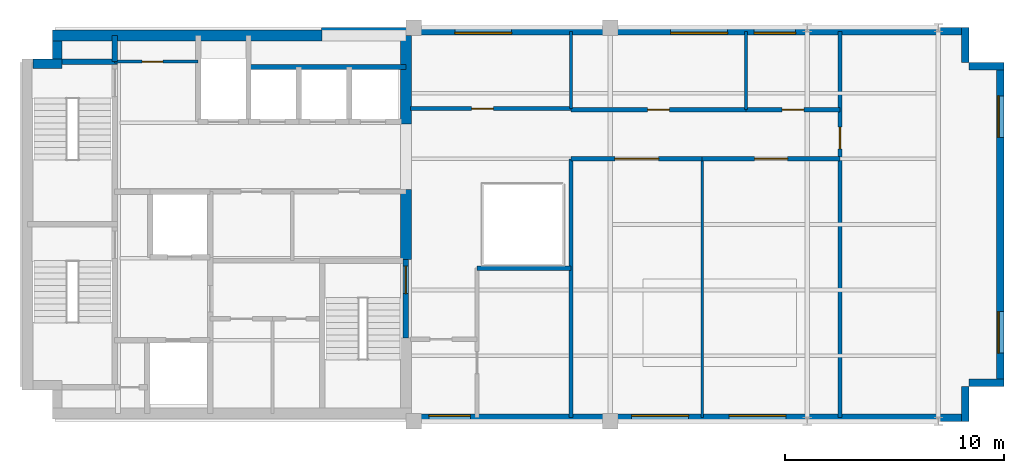
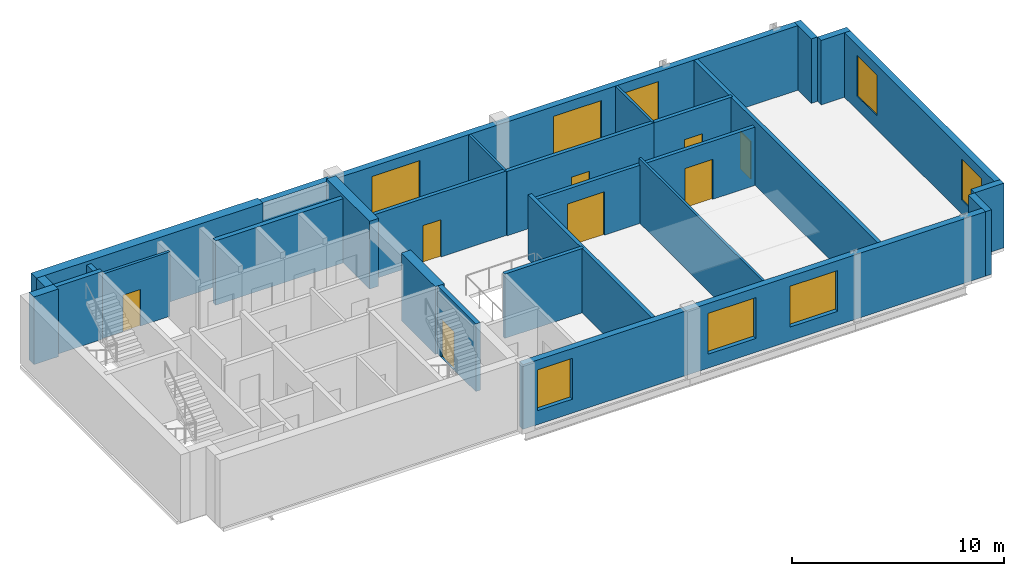
# One storey, part 3 of 5: 28 walls, 8 doors, 8 windows, 16 openings.
"""IFC4 building model written with IfcOpenShell, lengths in metres."""

from ifc_helpers import new_model, si_unit, direction, frame, frame_2d, origin, place, context, subcontext, project, spatial, rectangle, extrude, material, layer, layer_set, type_object, element, fill, save


model = new_model("IFC4")

# Units and contexts
model_context = context("Model", 3, precision=1e-05, world=origin(), true_north=direction((0.0, 1.0)))
body_context = subcontext(model_context, "Body", "Model", "MODEL_VIEW")
ifc_project = project(units=[si_unit("LENGTHUNIT", "METRE"), si_unit("AREAUNIT", "SQUARE_METRE"), si_unit("VOLUMEUNIT", "CUBIC_METRE"), si_unit("PLANEANGLEUNIT", "RADIAN"), si_unit("MASSUNIT", "GRAM", prefix="KILO")], contexts=[model_context])

# Site, building, storey
site_placement = place(None, origin())
site = spatial("IfcSite", under=ifc_project, at=site_placement, CompositionType="ELEMENT")
building_placement = place(site_placement, origin())
building = spatial("IfcBuilding", under=site, at=building_placement, Name="Mawjdan Bourse Tower", CompositionType="ELEMENT")
storey_placement = place(building_placement, frame((0.0, 0.0, 305.39990234375)))
storey = spatial("IfcBuildingStorey", under=building, at=storey_placement, Name="L75", CompositionType="ELEMENT", Elevation=305.39990234375)

# Wall, openings, windows
ifc_material_1 = material(Name="Brick Masonry Buff", Category="masonry")
ifc_layer_1 = layer(ifc_material_1, 0.340087890625)
ifc_layer_set_1 = layer_set([ifc_layer_1], Name="Brick Masonry Buff")
wall_type_1 = type_object("IfcWallType", Name="WL-BRK-SPN-340", PredefinedType="STANDARD", material=ifc_layer_set_1)
wall_1_placement = place(storey_placement, frame((23.89990234375, 3.169921875, 0.0), z_axis=(0.0, 0.0, 1.0), x_axis=(1.0, 0.0, 0.0)))
wall_1 = element("IfcWall", 1, at=wall_1_placement, inside=storey, type_object=wall_type_1, Name="L75 Exterior Brick Wall 1", PredefinedType="STANDARD", context=body_context, shape_type="SweptSolid", body=[
    extrude(rectangle(XDim=25.5, YDim=0.340087890625, at=frame_2d((12.75, 0.0))), origin(), (0.0, 0.0, 1.0), 3.715087890625),
])
opening_1_placement = place(wall_1_placement, frame((0.800048828125, 0.0, 0.800048828125)))
opening_1 = element("IfcOpeningElement", 2, at=opening_1_placement, cuts=wall_1, Name="Opening W-L75-05", PredefinedType="OPENING", context=body_context, shape_type="SweptSolid", body=[
    extrude(rectangle(XDim=1.89990234375, YDim=2.35009765625, at=frame_2d((0.949951171875, 1.175048828125))), frame((0.0, 0.18017578125, 0.0), z_axis=(0.0, -1.0, 0.0), x_axis=(1.0, 0.0, 0.0)), (0.0, 0.0, 1.0), 0.360107421875),
])
opening_2_placement = place(wall_1_placement, frame((10.07470703125, 0.0, 0.800048828125)))
opening_2 = element("IfcOpeningElement", 3, at=opening_2_placement, cuts=wall_1, Name="Opening W-L75-06", PredefinedType="OPENING", context=body_context, shape_type="SweptSolid", body=[
    extrude(rectangle(XDim=2.60009765625, YDim=2.35009765625, at=frame_2d((1.300048828125, 1.175048828125))), frame((0.0, 0.18017578125, 0.0), z_axis=(0.0, -1.0, 0.0), x_axis=(1.0, 0.0, 0.0)), (0.0, 0.0, 1.0), 0.360107421875),
])
opening_3_placement = place(wall_1_placement, frame((14.52490234375, 0.0, 0.800048828125)))
opening_3 = element("IfcOpeningElement", 4, at=opening_3_placement, cuts=wall_1, Name="Opening W-L75-07", PredefinedType="OPENING", context=body_context, shape_type="SweptSolid", body=[
    extrude(rectangle(XDim=2.60009765625, YDim=2.35009765625, at=frame_2d((1.300048828125, 1.175048828125))), frame((0.0, 0.18017578125, 0.0), z_axis=(0.0, -1.0, 0.0), x_axis=(1.0, 0.0, 0.0)), (0.0, 0.0, 1.0), 0.360107421875),
])
ifc_material_2 = material(Name="Solar-Control Clear Double Glazing", Category="glass")
window_type_1 = type_object("IfcWindowType", Name="WN-SMT-1900", PartitioningType="SINGLE_PANEL", PredefinedType="WINDOW", material=ifc_material_2)
window_1_placement = place(opening_1_placement, origin())
window_1 = element("IfcWindow", 5, at=window_1_placement, inside=storey, type_object=window_type_1, Name="L75 Deep-Set Masonry Window W-L75-05", OverallHeight=2.35009765625, OverallWidth=1.89990234375, PartitioningType="SINGLE_PANEL", PredefinedType="WINDOW", context=body_context, shape_type="SweptSolid", body=[
    extrude(rectangle(XDim=1.89990234375, YDim=2.35009765625, at=frame_2d((0.949951171875, 1.175048828125))), frame((0.0, 0.110107421875, 0.0), z_axis=(0.0, -1.0, 0.0), x_axis=(1.0, 0.0, 0.0)), (0.0, 0.0, 1.0), 0.06005859375),
])
fill(opening_1, window_1)
window_type_2 = type_object("IfcWindowType", Name="WN-SMT-2600", PartitioningType="SINGLE_PANEL", PredefinedType="WINDOW", material=ifc_material_2)
window_2_placement = place(opening_2_placement, origin())
window_2 = element("IfcWindow", 6, at=window_2_placement, inside=storey, type_object=window_type_2, Name="L75 Deep-Set Masonry Window W-L75-06", OverallHeight=2.35009765625, OverallWidth=2.60009765625, PartitioningType="SINGLE_PANEL", PredefinedType="WINDOW", context=body_context, shape_type="SweptSolid", body=[
    extrude(rectangle(XDim=2.60009765625, YDim=2.35009765625, at=frame_2d((1.300048828125, 1.175048828125))), frame((0.0, 0.110107421875, 0.0), z_axis=(0.0, -1.0, 0.0), x_axis=(1.0, 0.0, 0.0)), (0.0, 0.0, 1.0), 0.06005859375),
])
fill(opening_2, window_2)
window_3_placement = place(opening_3_placement, origin())
window_3 = element("IfcWindow", 7, at=window_3_placement, inside=storey, type_object=window_type_2, Name="L75 Deep-Set Masonry Window W-L75-07", OverallHeight=2.35009765625, OverallWidth=2.60009765625, PartitioningType="SINGLE_PANEL", PredefinedType="WINDOW", context=body_context, shape_type="SweptSolid", body=[
    extrude(rectangle(XDim=2.60009765625, YDim=2.35009765625, at=frame_2d((1.300048828125, 1.175048828125))), frame((0.0, 0.110107421875, 0.0), z_axis=(0.0, -1.0, 0.0), x_axis=(1.0, 0.0, 0.0)), (0.0, 0.0, 1.0), 0.06005859375),
])
fill(opening_3, window_3)

# Walls
for number, where, z_axis, x_axis, name in (
    (8, (49.22998046875, 3.0, 0.0), (0.0, 0.0, 1.0), (0.0, 1.0, 0.0), "L75 Exterior Brick Wall 2"),
    (9, (49.39990234375, 4.77001953125, 0.0), (0.0, 0.0, 1.0), (1.0, 0.0, 0.0), "L75 Exterior Brick Wall 3"),
):
    element("IfcWall", number, at=place(storey_placement, frame(where, z_axis=z_axis, x_axis=x_axis)), inside=storey, type_object=wall_type_1, Name=name, PredefinedType="STANDARD", context=body_context, shape_type="SweptSolid", body=[
        extrude(rectangle(XDim=1.60009765625, YDim=0.340087890625, at=frame_2d((0.800048828125, 0.0))), origin(), (0.0, 0.0, 1.0), 3.715087890625),
    ])

# Wall, openings, windows
wall_2_placement = place(storey_placement, frame((50.830078125, 4.60009765625, 0.0), z_axis=(0.0, 0.0, 1.0), x_axis=(0.0, 1.0, 0.0)))
wall_2 = element("IfcWall", 10, at=wall_2_placement, inside=storey, type_object=wall_type_1, Name="L75 Exterior Brick Wall 4", PredefinedType="STANDARD", context=body_context, shape_type="SweptSolid", body=[
    extrude(rectangle(XDim=14.7998046875, YDim=0.340087890625, at=frame_2d((7.39990234375, 0.0))), origin(), (0.0, 0.0, 1.0), 3.715087890625),
])
opening_4_placement = place(wall_2_placement, frame((1.5166015625, 0.0, 0.800048828125)))
opening_4 = element("IfcOpeningElement", 11, at=opening_4_placement, cuts=wall_2, Name="Opening W-L75-01", PredefinedType="OPENING", context=body_context, shape_type="SweptSolid", body=[
    extrude(rectangle(XDim=1.89990234375, YDim=2.35009765625, at=frame_2d((0.949951171875, 1.175048828125))), frame((0.0, 0.18017578125, 0.0), z_axis=(0.0, -1.0, 0.0), x_axis=(1.0, 0.0, 0.0)), (0.0, 0.0, 1.0), 0.360107421875),
])
opening_5_placement = place(wall_2_placement, frame((11.38330078125, 0.0, 0.800048828125)))
opening_5 = element("IfcOpeningElement", 12, at=opening_5_placement, cuts=wall_2, Name="Opening W-L75-02", PredefinedType="OPENING", context=body_context, shape_type="SweptSolid", body=[
    extrude(rectangle(XDim=1.89990234375, YDim=2.35009765625, at=frame_2d((0.949951171875, 1.175048828125))), frame((0.0, 0.18017578125, 0.0), z_axis=(0.0, -1.0, 0.0), x_axis=(1.0, 0.0, 0.0)), (0.0, 0.0, 1.0), 0.360107421875),
])
window_4_placement = place(opening_4_placement, origin())
window_4 = element("IfcWindow", 13, at=window_4_placement, inside=storey, type_object=window_type_1, Name="L75 Deep-Set Masonry Window W-L75-01", OverallHeight=2.35009765625, OverallWidth=1.89990234375, PartitioningType="SINGLE_PANEL", PredefinedType="WINDOW", context=body_context, shape_type="SweptSolid", body=[
    extrude(rectangle(XDim=1.89990234375, YDim=2.35009765625, at=frame_2d((0.949951171875, 1.175048828125))), frame((0.0, 0.110107421875, 0.0), z_axis=(0.0, -1.0, 0.0), x_axis=(1.0, 0.0, 0.0)), (0.0, 0.0, 1.0), 0.06005859375),
])
fill(opening_4, window_4)
window_5_placement = place(opening_5_placement, origin())
window_5 = element("IfcWindow", 14, at=window_5_placement, inside=storey, type_object=window_type_1, Name="L75 Deep-Set Masonry Window W-L75-02", OverallHeight=2.35009765625, OverallWidth=1.89990234375, PartitioningType="SINGLE_PANEL", PredefinedType="WINDOW", context=body_context, shape_type="SweptSolid", body=[
    extrude(rectangle(XDim=1.89990234375, YDim=2.35009765625, at=frame_2d((0.949951171875, 1.175048828125))), frame((0.0, 0.110107421875, 0.0), z_axis=(0.0, -1.0, 0.0), x_axis=(1.0, 0.0, 0.0)), (0.0, 0.0, 1.0), 0.06005859375),
])
fill(opening_5, window_5)

# Walls
for number, where, z_axis, x_axis, name in (
    (15, (51.0, 19.22998046875, 0.0), (0.0, 0.0, 1.0), (-1.0, 0.0, 0.0), "L75 Exterior Brick Wall 5"),
    (16, (49.22998046875, 19.39990234375, 0.0), (0.0, 0.0, 1.0), (0.0, 1.0, 0.0), "L75 Exterior Brick Wall 6"),
):
    element("IfcWall", number, at=place(storey_placement, frame(where, z_axis=z_axis, x_axis=x_axis)), inside=storey, type_object=wall_type_1, Name=name, PredefinedType="STANDARD", context=body_context, shape_type="SweptSolid", body=[
        extrude(rectangle(XDim=1.60009765625, YDim=0.340087890625, at=frame_2d((0.800048828125, 0.0))), origin(), (0.0, 0.0, 1.0), 3.715087890625),
    ])

# Wall, openings, windows
wall_3_placement = place(storey_placement, frame((49.39990234375, 20.830078125, 0.0), z_axis=(0.0, 0.0, 1.0), x_axis=(-1.0, 0.0, 0.0)))
wall_3 = element("IfcWall", 17, at=wall_3_placement, inside=storey, type_object=wall_type_1, Name="L75 Exterior Brick Wall 7", PredefinedType="STANDARD", context=body_context, shape_type="SweptSolid", body=[
    extrude(rectangle(XDim=29.619873046875, YDim=0.340087890625, at=frame_2d((14.81005859375, 0.0))), origin(), (0.0, 0.0, 1.0), 3.715087890625),
])
opening_6_placement = place(wall_3_placement, frame((11.041748046875, 0.0, 0.800048828125)))
opening_6 = element("IfcOpeningElement", 18, at=opening_6_placement, cuts=wall_3, Name="Opening W-L75-03", PredefinedType="OPENING", context=body_context, shape_type="SweptSolid", body=[
    extrude(rectangle(XDim=2.60009765625, YDim=2.35009765625, at=frame_2d((1.300048828125, 1.175048828125))), frame((0.0, 0.18017578125, 0.0), z_axis=(0.0, -1.0, 0.0), x_axis=(1.0, 0.0, 0.0)), (0.0, 0.0, 1.0), 0.360107421875),
])
opening_7_placement = place(wall_3_placement, frame((20.9150390625, 0.0, 0.800048828125)))
opening_7 = element("IfcOpeningElement", 19, at=opening_7_placement, cuts=wall_3, Name="Opening W-L75-04", PredefinedType="OPENING", context=body_context, shape_type="SweptSolid", body=[
    extrude(rectangle(XDim=2.60009765625, YDim=2.35009765625, at=frame_2d((1.300048828125, 1.175048828125))), frame((0.0, 0.18017578125, 0.0), z_axis=(0.0, -1.0, 0.0), x_axis=(1.0, 0.0, 0.0)), (0.0, 0.0, 1.0), 0.360107421875),
])
opening_8_placement = place(wall_3_placement, frame((7.9248046875, 0.0, 0.800048828125)))
opening_8 = element("IfcOpeningElement", 20, at=opening_8_placement, cuts=wall_3, Name="Opening W-L75-08", PredefinedType="OPENING", context=body_context, shape_type="SweptSolid", body=[
    extrude(rectangle(XDim=1.89990234375, YDim=2.35009765625, at=frame_2d((0.949951171875, 1.175048828125))), frame((0.0, 0.18017578125, 0.0), z_axis=(0.0, -1.0, 0.0), x_axis=(1.0, 0.0, 0.0)), (0.0, 0.0, 1.0), 0.360107421875),
])
window_6_placement = place(opening_8_placement, origin())
window_6 = element("IfcWindow", 21, at=window_6_placement, inside=storey, type_object=window_type_1, Name="L75 Deep-Set Masonry Window W-L75-08", OverallHeight=2.35009765625, OverallWidth=1.89990234375, PartitioningType="SINGLE_PANEL", PredefinedType="WINDOW", context=body_context, shape_type="SweptSolid", body=[
    extrude(rectangle(XDim=1.89990234375, YDim=2.35009765625, at=frame_2d((0.949951171875, 1.175048828125))), frame((0.0, 0.110107421875, 0.0), z_axis=(0.0, -1.0, 0.0), x_axis=(1.0, 0.0, 0.0)), (0.0, 0.0, 1.0), 0.06005859375),
])
fill(opening_8, window_6)
window_7_placement = place(opening_6_placement, origin())
window_7 = element("IfcWindow", 22, at=window_7_placement, inside=storey, type_object=window_type_2, Name="L75 Deep-Set Masonry Window W-L75-03", OverallHeight=2.35009765625, OverallWidth=2.60009765625, PartitioningType="SINGLE_PANEL", PredefinedType="WINDOW", context=body_context, shape_type="SweptSolid", body=[
    extrude(rectangle(XDim=2.60009765625, YDim=2.35009765625, at=frame_2d((1.300048828125, 1.175048828125))), frame((0.0, 0.110107421875, 0.0), z_axis=(0.0, -1.0, 0.0), x_axis=(1.0, 0.0, 0.0)), (0.0, 0.0, 1.0), 0.06005859375),
])
fill(opening_6, window_7)
window_8_placement = place(opening_7_placement, origin())
window_8 = element("IfcWindow", 23, at=window_8_placement, inside=storey, type_object=window_type_2, Name="L75 Deep-Set Masonry Window W-L75-04", OverallHeight=2.35009765625, OverallWidth=2.60009765625, PartitioningType="SINGLE_PANEL", PredefinedType="WINDOW", context=body_context, shape_type="SweptSolid", body=[
    extrude(rectangle(XDim=2.60009765625, YDim=2.35009765625, at=frame_2d((1.300048828125, 1.175048828125))), frame((0.0, 0.110107421875, 0.0), z_axis=(0.0, -1.0, 0.0), x_axis=(1.0, 0.0, 0.0)), (0.0, 0.0, 1.0), 0.06005859375),
])
fill(opening_7, window_8)

# Walls
ifc_material_3 = material(Name="Gypsum Fireboard Assembly")
ifc_layer_2 = layer(ifc_material_3, 0.199951171875)
ifc_layer_set_2 = layer_set([ifc_layer_2], Name="Gypsum Fireboard Assembly")
wall_type_2 = type_object("IfcWallType", Name="WL-CMP-200", PredefinedType="PARTITIONING", material=ifc_layer_set_2)
wall_4_placement = place(storey_placement, frame((26.89990234375, 10.0, 0.0), z_axis=(0.0, 0.0, 1.0), x_axis=(1.0, 0.0, 0.0)))
element("IfcWall", 24, at=wall_4_placement, inside=storey, type_object=wall_type_2, Name="L75 Summit South Atrium Suite North Wall", PredefinedType="PARTITIONING", context=body_context, shape_type="SweptSolid", body=[
    extrude(rectangle(XDim=4.300048828125, YDim=0.199951171875, at=frame_2d((2.14990234375, 0.0))), origin(), (0.0, 0.0, 1.0), 3.705078125),
])
wall_5_placement = place(storey_placement, frame((31.199951171875, 3.179931640625, 0.0), z_axis=(0.0, 0.0, 1.0), x_axis=(0.0, 1.0, 0.0)))
element("IfcWall", 25, at=wall_5_placement, inside=storey, type_object=wall_type_2, Name="L75 Summit South Atrium Suite East Wall", PredefinedType="PARTITIONING", context=body_context, shape_type="SweptSolid", body=[
    extrude(rectangle(XDim=11.820068359375, YDim=0.199951171875, at=frame_2d((5.91015625, 0.0))), origin(), (0.0, 0.0, 1.0), 3.705078125),
])

# Wall, opening, door
wall_6_placement = place(storey_placement, frame((23.85009765625, 17.300048828125, 0.0), z_axis=(0.0, 0.0, 1.0), x_axis=(1.0, 0.0, 0.0)))
wall_6 = element("IfcWall", 26, at=wall_6_placement, inside=storey, type_object=wall_type_2, Name="L75 Summit Throat North Wall", PredefinedType="PARTITIONING", context=body_context, shape_type="SweptSolid", body=[
    extrude(rectangle(XDim=7.349853515625, YDim=0.199951171875, at=frame_2d((3.6748046875, 0.0))), origin(), (0.0, 0.0, 1.0), 3.705078125),
])
opening_9_placement = place(wall_6_placement, frame((2.800048828125, 0.0, 0.0)))
opening_9 = element("IfcOpeningElement", 27, at=opening_9_placement, cuts=wall_6, Name="Opening D-L75-20", PredefinedType="OPENING", context=body_context, shape_type="SweptSolid", body=[
    extrude(rectangle(XDim=1.0, YDim=2.14990234375, at=frame_2d((0.5, 1.074951171875))), frame((0.0, 0.10986328125, 0.0), z_axis=(0.0, -1.0, 0.0), x_axis=(1.0, 0.0, 0.0)), (0.0, 0.0, 1.0), 0.219970703125),
])
ifc_material_4 = material(Name="Hardwood Acoustic Leaf", Category="wood")
door_type_1 = type_object("IfcDoorType", Name="DR-OFC-1000", OperationType="NOTDEFINED", PredefinedType="DOOR", material=ifc_material_4)
door_1_placement = place(opening_9_placement, origin())
door_1 = element("IfcDoor", 28, at=door_1_placement, inside=storey, type_object=door_type_1, Name="L75 Summit Throat North Room Door D-L75-20", OperationType="SINGLE_SWING_LEFT", OverallHeight=2.14990234375, OverallWidth=1.0, PredefinedType="DOOR", context=body_context, shape_type="SweptSolid", body=[
    extrude(rectangle(XDim=1.0, YDim=2.14990234375, at=frame_2d((0.5, 1.074951171875))), frame((0.0, 0.02490234375, 0.0), z_axis=(0.0, -1.0, 0.0), x_axis=(1.0, 0.0, 0.0)), (0.0, 0.0, 1.0), 0.050048828125),
])
fill(opening_9, door_1)

wall_7_placement = place(storey_placement, frame((31.199951171875, 15.0, 0.0), z_axis=(0.0, 0.0, 1.0), x_axis=(1.0, 0.0, 0.0)))
wall_7 = element("IfcWall", 29, at=wall_7_placement, inside=storey, type_object=wall_type_2, Name="L75 Gulf Capital Council Hall Corridor Wall", PredefinedType="PARTITIONING", context=body_context, shape_type="SweptSolid", body=[
    extrude(rectangle(XDim=6.0, YDim=0.199951171875, at=frame_2d((3.0, 0.0))), origin(), (0.0, 0.0, 1.0), 3.35400390625),
])
opening_10_placement = place(wall_7_placement, frame((2.0, 0.0, 0.0)))
opening_10 = element("IfcOpeningElement", 30, at=opening_10_placement, cuts=wall_7, Name="Opening D-L75-21", PredefinedType="OPENING", context=body_context, shape_type="SweptSolid", body=[
    extrude(rectangle(XDim=2.0, YDim=2.5, at=frame_2d((1.0, 1.25))), frame((0.0, 0.10986328125, 0.0), z_axis=(0.0, -1.0, 0.0), x_axis=(1.0, 0.0, 0.0)), (0.0, 0.0, 1.0), 0.219970703125),
])
ifc_material_5 = material(Name="Acoustic Veneered Timber", Category="wood")
door_type_2 = type_object("IfcDoorType", Name="DR-ASM-2000", OperationType="DOUBLE_DOOR_SINGLE_SWING", PredefinedType="DOOR", material=ifc_material_5)
door_2_placement = place(opening_10_placement, origin())
door_2 = element("IfcDoor", 31, at=door_2_placement, inside=storey, type_object=door_type_2, Name="L75 Gulf Capital Council Hall Door D-L75-21", OperationType="DOUBLE_DOOR_SINGLE_SWING", OverallHeight=2.5, OverallWidth=2.0, PredefinedType="DOOR", context=body_context, shape_type="SweptSolid", body=[
    extrude(rectangle(XDim=2.0, YDim=2.5, at=frame_2d((1.0, 1.25))), frame((0.0, 0.02490234375, 0.0), z_axis=(0.0, -1.0, 0.0), x_axis=(1.0, 0.0, 0.0)), (0.0, 0.0, 1.0), 0.050048828125),
])
fill(opening_10, door_2)

wall_8_placement = place(storey_placement, frame((37.199951171875, 15.0, 0.0), z_axis=(0.0, 0.0, 1.0), x_axis=(1.0, 0.0, 0.0)))
wall_8 = element("IfcWall", 32, at=wall_8_placement, inside=storey, type_object=wall_type_2, Name="L75 Conference Room Corridor Wall", PredefinedType="PARTITIONING", context=body_context, shape_type="SweptSolid", body=[
    extrude(rectangle(XDim=6.300048828125, YDim=0.199951171875, at=frame_2d((3.14990234375, 0.0))), origin(), (0.0, 0.0, 1.0), 3.35400390625),
])
opening_11_placement = place(wall_8_placement, frame((2.39990234375, 0.0, 0.0)))
opening_11 = element("IfcOpeningElement", 33, at=opening_11_placement, cuts=wall_8, Name="Opening D-L75-22", PredefinedType="OPENING", context=body_context, shape_type="SweptSolid", body=[
    extrude(rectangle(XDim=1.5, YDim=2.300048828125, at=frame_2d((0.75, 1.14990234375))), frame((0.0, 0.10986328125, 0.0), z_axis=(0.0, -1.0, 0.0), x_axis=(1.0, 0.0, 0.0)), (0.0, 0.0, 1.0), 0.219970703125),
])
ifc_material_6 = material(Name="Acoustic Glazed Timber", Category="wood")
door_type_3 = type_object("IfcDoorType", Name="DR-CNF-1500", OperationType="DOUBLE_DOOR_SINGLE_SWING", PredefinedType="DOOR", material=ifc_material_6)
door_3_placement = place(opening_11_placement, origin())
door_3 = element("IfcDoor", 34, at=door_3_placement, inside=storey, type_object=door_type_3, Name="L75 Conference Room Door D-L75-22", OperationType="DOUBLE_DOOR_SINGLE_SWING", OverallHeight=2.300048828125, OverallWidth=1.5, PredefinedType="DOOR", context=body_context, shape_type="SweptSolid", body=[
    extrude(rectangle(XDim=1.5, YDim=2.300048828125, at=frame_2d((0.75, 1.14990234375))), frame((0.0, 0.02490234375, 0.0), z_axis=(0.0, -1.0, 0.0), x_axis=(1.0, 0.0, 0.0)), (0.0, 0.0, 1.0), 0.050048828125),
])
fill(opening_11, door_3)

wall_9_placement = place(storey_placement, frame((31.199951171875, 17.25, 0.0), z_axis=(0.0, 0.0, 1.0), x_axis=(1.0, 0.0, 0.0)))
wall_9 = element("IfcWall", 35, at=wall_9_placement, inside=storey, type_object=wall_type_2, Name="L75 Executive Office Corridor Wall", PredefinedType="PARTITIONING", context=body_context, shape_type="SweptSolid", body=[
    extrude(rectangle(XDim=8.0, YDim=0.199951171875, at=frame_2d((4.0, 0.0))), origin(), (0.0, 0.0, 1.0), 3.705078125),
])
opening_12_placement = place(wall_9_placement, frame((3.5, 0.0, 0.0)))
opening_12 = element("IfcOpeningElement", 36, at=opening_12_placement, cuts=wall_9, Name="Opening D-L75-23", PredefinedType="OPENING", context=body_context, shape_type="SweptSolid", body=[
    extrude(rectangle(XDim=1.0, YDim=2.14990234375, at=frame_2d((0.5, 1.074951171875))), frame((0.0, 0.10986328125, 0.0), z_axis=(0.0, -1.0, 0.0), x_axis=(1.0, 0.0, 0.0)), (0.0, 0.0, 1.0), 0.219970703125),
])
door_4_placement = place(opening_12_placement, origin())
door_4 = element("IfcDoor", 37, at=door_4_placement, inside=storey, type_object=door_type_1, Name="L75 Executive Office Door D-L75-23", OperationType="SINGLE_SWING_RIGHT", OverallHeight=2.14990234375, OverallWidth=1.0, PredefinedType="DOOR", context=body_context, shape_type="SweptSolid", body=[
    extrude(rectangle(XDim=1.0, YDim=2.14990234375, at=frame_2d((0.5, 1.074951171875))), frame((0.0, 0.02490234375, 0.0), z_axis=(0.0, -1.0, 0.0), x_axis=(1.0, 0.0, 0.0)), (0.0, 0.0, 1.0), 0.050048828125),
])
fill(opening_12, door_4)

wall_10_placement = place(storey_placement, frame((39.199951171875, 17.25, 0.0), z_axis=(0.0, 0.0, 1.0), x_axis=(1.0, 0.0, 0.0)))
wall_10 = element("IfcWall", 38, at=wall_10_placement, inside=storey, type_object=wall_type_2, Name="L75 Private Advisory Suite Corridor Wall", PredefinedType="PARTITIONING", context=body_context, shape_type="SweptSolid", body=[
    extrude(rectangle(XDim=4.300048828125, YDim=0.199951171875, at=frame_2d((2.14990234375, 0.0))), origin(), (0.0, 0.0, 1.0), 3.705078125),
])
opening_13_placement = place(wall_10_placement, frame((1.64990234375, 0.0, 0.0)))
opening_13 = element("IfcOpeningElement", 39, at=opening_13_placement, cuts=wall_10, Name="Opening D-L75-24", PredefinedType="OPENING", context=body_context, shape_type="SweptSolid", body=[
    extrude(rectangle(XDim=1.0, YDim=2.14990234375, at=frame_2d((0.5, 1.074951171875))), frame((0.0, 0.10986328125, 0.0), z_axis=(0.0, -1.0, 0.0), x_axis=(1.0, 0.0, 0.0)), (0.0, 0.0, 1.0), 0.219970703125),
])
door_5_placement = place(opening_13_placement, origin())
door_5 = element("IfcDoor", 40, at=door_5_placement, inside=storey, type_object=door_type_1, Name="L75 Private Advisory Suite Door D-L75-24", OperationType="SINGLE_SWING_LEFT", OverallHeight=2.14990234375, OverallWidth=1.0, PredefinedType="DOOR", context=body_context, shape_type="SweptSolid", body=[
    extrude(rectangle(XDim=1.0, YDim=2.14990234375, at=frame_2d((0.5, 1.074951171875))), frame((0.0, 0.02490234375, 0.0), z_axis=(0.0, -1.0, 0.0), x_axis=(1.0, 0.0, 0.0)), (0.0, 0.0, 1.0), 0.050048828125),
])
fill(opening_13, door_5)

wall_11_placement = place(storey_placement, frame((43.5, 3.179931640625, 0.0), z_axis=(0.0, 0.0, 1.0), x_axis=(0.0, 1.0, 0.0)))
wall_11 = element("IfcWall", 41, at=wall_11_placement, inside=storey, type_object=wall_type_2, Name="L75 East Tip Full Cross Wall", PredefinedType="PARTITIONING", context=body_context, shape_type="SweptSolid", body=[
    extrude(rectangle(XDim=17.64013671875, YDim=0.199951171875, at=frame_2d((8.820068359375, 0.0))), origin(), (0.0, 0.0, 1.0), 3.705078125),
])
opening_14_placement = place(wall_11_placement, frame((12.27490234375, 0.0, 0.0)))
opening_14 = element("IfcOpeningElement", 42, at=opening_14_placement, cuts=wall_11, Name="Opening D-L75-25", PredefinedType="OPENING", context=body_context, shape_type="SweptSolid", body=[
    extrude(rectangle(XDim=1.0, YDim=2.14990234375, at=frame_2d((0.5, 1.074951171875))), frame((0.0, 0.10986328125, 0.0), z_axis=(0.0, -1.0, 0.0), x_axis=(1.0, 0.0, 0.0)), (0.0, 0.0, 1.0), 0.219970703125),
])
door_6_placement = place(opening_14_placement, origin())
door_6 = element("IfcDoor", 43, at=door_6_placement, inside=storey, type_object=door_type_1, Name="L75 East Tip Hall Door D-L75-25", OperationType="SINGLE_SWING_RIGHT", OverallHeight=2.14990234375, OverallWidth=1.0, PredefinedType="DOOR", context=body_context, shape_type="SweptSolid", body=[
    extrude(rectangle(XDim=1.0, YDim=2.14990234375, at=frame_2d((0.5, 1.074951171875))), frame((0.0, 0.02490234375, 0.0), z_axis=(0.0, -1.0, 0.0), x_axis=(1.0, 0.0, 0.0)), (0.0, 0.0, 1.0), 0.050048828125),
])
fill(opening_14, door_6)

# Walls
ifc_material_7 = material(Name="Concrete C60/75", Category="concrete")
ifc_layer_3 = layer(ifc_material_7, 0.449951171875)
ifc_layer_set_3 = layer_set([ifc_layer_3], Name="Concrete C60/75")
wall_type_3 = type_object("IfcWallType", Name="WL-CORE-450", PredefinedType="SHEAR", material=ifc_layer_set_3)
wall_12_placement = place(storey_placement, frame((6.60009765625, 19.35009765625, 0.0), z_axis=(0.0, 0.0, 1.0), x_axis=(1.0, 0.0, 0.0)))
element("IfcWall", 44, at=wall_12_placement, inside=storey, type_object=wall_type_3, Name="L75 Rear Core Shear Wall NW-X", PredefinedType="SHEAR", context=body_context, shape_type="SweptSolid", body=[
    extrude(rectangle(XDim=1.324951171875, YDim=0.449951171875, at=frame_2d((0.66259765625, 0.0))), origin(), (0.0, 0.0, 1.0), 3.900146484375),
])
wall_13_placement = place(storey_placement, frame((7.699951171875, 19.574951171875, 0.0), z_axis=(0.0, 0.0, 1.0), x_axis=(0.0, 1.0, 0.0)))
element("IfcWall", 45, at=wall_13_placement, inside=storey, type_object=wall_type_3, Name="L75 Rear Core Shear Wall NW-Y", PredefinedType="SHEAR", context=body_context, shape_type="SweptSolid", body=[
    extrude(rectangle(XDim=0.824951171875, YDim=0.449951171875, at=frame_2d((0.41259765625, 0.0))), origin(), (0.0, 0.0, 1.0), 3.900146484375),
])
ifc_layer_4 = layer(ifc_material_7, 0.5)
ifc_layer_set_4 = layer_set([ifc_layer_4], Name="Concrete C60/75")
wall_type_4 = type_object("IfcWallType", Name="WL-CORE-500", PredefinedType="SHEAR", material=ifc_layer_set_4)
wall_14_placement = place(storey_placement, frame((7.47509765625, 20.64990234375, 0.0), z_axis=(0.0, 0.0, 1.0), x_axis=(1.0, 0.0, 0.0)))
element("IfcWall", 46, at=wall_14_placement, inside=storey, type_object=wall_type_4, Name="L75 Rear Core Shear Wall N", PredefinedType="SHEAR", context=body_context, shape_type="SweptSolid", body=[
    extrude(rectangle(XDim=12.324951171875, YDim=0.5, at=frame_2d((6.16259765625, 0.0))), origin(), (0.0, 0.0, 1.0), 3.900146484375),
])
wall_15_placement = place(storey_placement, frame((23.64990234375, 10.39990234375, 0.0), z_axis=(0.0, 0.0, 1.0), x_axis=(0.0, 1.0, 0.0)))
element("IfcWall", 47, at=wall_15_placement, inside=storey, type_object=wall_type_4, Name="L75 Rear Core Shear Wall E2", PredefinedType="SHEAR", context=body_context, shape_type="SweptSolid", body=[
    extrude(rectangle(XDim=3.2001953125, YDim=0.5, at=frame_2d((1.60009765625, 0.0))), origin(), (0.0, 0.0, 1.0), 3.900146484375),
])
wall_16_placement = place(storey_placement, frame((23.64990234375, 16.60009765625, 0.0), z_axis=(0.0, 0.0, 1.0), x_axis=(0.0, 1.0, 0.0)))
element("IfcWall", 48, at=wall_16_placement, inside=storey, type_object=wall_type_4, Name="L75 Rear Core Shear Wall E3", PredefinedType="SHEAR", context=body_context, shape_type="SweptSolid", body=[
    extrude(rectangle(XDim=4.0498046875, YDim=0.5, at=frame_2d((2.02490234375, 0.0))), origin(), (0.0, 0.0, 1.0), 3.900146484375),
])
ifc_material_8 = material(Name="Gypsum Partition")
ifc_layer_5 = layer(ifc_material_8, 0.125)
ifc_layer_set_5 = layer_set([ifc_layer_5], Name="Gypsum Partition")
wall_type_5 = type_object("IfcWallType", Name="WL-PRT-125", PredefinedType="PARTITIONING", material=ifc_layer_set_5)
wall_17_placement = place(storey_placement, frame((31.199951171875, 17.300048828125, 0.0), z_axis=(0.0, 0.0, 1.0), x_axis=(0.0, 1.0, 0.0)))
element("IfcWall", 49, at=wall_17_placement, inside=storey, type_object=wall_type_5, Name="L75 Summit Throat North Return", PredefinedType="PARTITIONING", context=body_context, shape_type="SweptSolid", body=[
    extrude(rectangle(XDim=3.52001953125, YDim=0.125, at=frame_2d((1.760009765625, 0.0))), origin(), (0.0, 0.0, 1.0), 3.705078125),
])
wall_18_placement = place(storey_placement, frame((37.199951171875, 3.179931640625, 0.0), z_axis=(0.0, 0.0, 1.0), x_axis=(0.0, 1.0, 0.0)))
element("IfcWall", 50, at=wall_18_placement, inside=storey, type_object=wall_type_5, Name="L75 Conference Room Partition", PredefinedType="PARTITIONING", context=body_context, shape_type="SweptSolid", body=[
    extrude(rectangle(XDim=11.820068359375, YDim=0.125, at=frame_2d((5.91015625, 0.0))), origin(), (0.0, 0.0, 1.0), 3.705078125),
])
wall_19_placement = place(storey_placement, frame((39.199951171875, 17.25, 0.0), z_axis=(0.0, 0.0, 1.0), x_axis=(0.0, 1.0, 0.0)))
element("IfcWall", 51, at=wall_19_placement, inside=storey, type_object=wall_type_5, Name="L75 Private Advisory Suite Partition", PredefinedType="PARTITIONING", context=body_context, shape_type="SweptSolid", body=[
    extrude(rectangle(XDim=3.570068359375, YDim=0.125, at=frame_2d((1.78515625, 0.0))), origin(), (0.0, 0.0, 1.0), 3.705078125),
])

# Wall, opening, door
ifc_material_9 = material(Name="Gypsum Acoustic Partition")
ifc_layer_6 = layer(ifc_material_9, 0.14990234375)
ifc_layer_set_6 = layer_set([ifc_layer_6], Name="Gypsum Acoustic Partition")
wall_type_6 = type_object("IfcWallType", Name="WL-PRT-150", PredefinedType="PARTITIONING", material=ifc_layer_set_6)
wall_20_placement = place(storey_placement, frame((10.330078125, 19.449951171875, 0.0), z_axis=(0.0, 0.0, 1.0), x_axis=(1.0, 0.0, 0.0)))
wall_20 = element("IfcWall", 52, at=wall_20_placement, inside=storey, type_object=wall_type_6, Name="L75 Housekeeping South Wall", PredefinedType="PARTITIONING", context=body_context, shape_type="SweptSolid", body=[
    extrude(rectangle(XDim=3.81982421875, YDim=0.14990234375, at=frame_2d((1.909912109375, 0.0))), origin(), (0.0, 0.0, 1.0), 3.705078125),
])
opening_15_placement = place(wall_20_placement, frame((1.25, 0.0, 0.0)))
opening_15 = element("IfcOpeningElement", 53, at=opening_15_placement, cuts=wall_20, Name="Opening D-L75-17", PredefinedType="OPENING", context=body_context, shape_type="SweptSolid", body=[
    extrude(rectangle(XDim=0.949951171875, YDim=2.10009765625, at=frame_2d((0.47509765625, 1.050048828125))), frame((0.0, 0.0849609375, 0.0), z_axis=(0.0, -1.0, 0.0), x_axis=(1.0, 0.0, 0.0)), (0.0, 0.0, 1.0), 0.169921875),
])
ifc_material_10 = material(Name="Moisture-Resistant Laminate Timber", Category="wood")
door_type_4 = type_object("IfcDoorType", Name="DR-WET-0950", OperationType="NOTDEFINED", PredefinedType="DOOR", material=ifc_material_10)
door_7_placement = place(opening_15_placement, origin())
door_7 = element("IfcDoor", 54, at=door_7_placement, inside=storey, type_object=door_type_4, Name="L75 Housekeeping Closet Door D-L75-17", OperationType="SINGLE_SWING_RIGHT", OverallHeight=2.10009765625, OverallWidth=0.949951171875, PredefinedType="DOOR", context=body_context, shape_type="SweptSolid", body=[
    extrude(rectangle(XDim=0.949951171875, YDim=2.10009765625, at=frame_2d((0.47509765625, 1.050048828125))), frame((0.0, 0.02490234375, 0.0), z_axis=(0.0, -1.0, 0.0), x_axis=(1.0, 0.0, 0.0)), (0.0, 0.0, 1.0), 0.050048828125),
])
fill(opening_15, door_7)

# Walls
ifc_material_11 = material(Name="Concrete C50/60", Category="concrete")
ifc_layer_7 = layer(ifc_material_11, 0.25)
ifc_layer_set_7 = layer_set([ifc_layer_7], Name="Concrete C50/60")
wall_type_7 = type_object("IfcWallType", Name="WL-SHFT-250", PredefinedType="PARTITIONING", material=ifc_layer_set_7)
wall_21_placement = place(storey_placement, frame((10.330078125, 19.449951171875, 0.0), z_axis=(0.0, 0.0, 1.0), x_axis=(0.0, 1.0, 0.0)))
element("IfcWall", 55, at=wall_21_placement, inside=storey, type_object=wall_type_7, Name="L75 NW Riser East Wall", PredefinedType="PARTITIONING", context=body_context, shape_type="SweptSolid", body=[
    extrude(rectangle(XDim=1.199951171875, YDim=0.25, at=frame_2d((0.60009765625, 0.0))), origin(), (0.0, 0.0, 1.0), 3.705078125),
])
wall_22_placement = place(storey_placement, frame((16.449951171875, 19.199951171875, 0.0), z_axis=(0.0, 0.0, 1.0), x_axis=(1.0, 0.0, 0.0)))
element("IfcWall", 56, at=wall_22_placement, inside=storey, type_object=wall_type_7, Name="L75 PH Bank North Shaft Back Wall", PredefinedType="PARTITIONING", context=body_context, shape_type="SweptSolid", body=[
    extrude(rectangle(XDim=7.199951171875, YDim=0.25, at=frame_2d((3.60009765625, 0.0))), origin(), (0.0, 0.0, 1.0), 3.705078125),
])
ifc_layer_8 = layer(ifc_material_11, 0.25)
ifc_layer_set_8 = layer_set([ifc_layer_8], Name="Concrete C50/60")
wall_type_8 = type_object("IfcWallType", Name="WL-STRW-250", PredefinedType="SHEAR", material=ifc_layer_set_8)
wall_23_placement = place(storey_placement, frame((7.699951171875, 19.449951171875, 0.0), z_axis=(0.0, 0.0, 1.0), x_axis=(1.0, 0.0, 0.0)))
element("IfcWall", 57, at=wall_23_placement, inside=storey, type_object=wall_type_8, Name="L75 Stairwell ST2 North Shaft Wall", PredefinedType="SHEAR", context=body_context, shape_type="SweptSolid", body=[
    extrude(rectangle(XDim=2.755126953125, YDim=0.25, at=frame_2d((1.37744140625, 0.0))), origin(), (0.0, 0.0, 1.0), 3.900146484375),
])

# Wall, opening, door
wall_24_placement = place(storey_placement, frame((23.64990234375, 6.800048828125, 0.0), z_axis=(0.0, 0.0, 1.0), x_axis=(0.0, 1.0, 0.0)))
wall_24 = element("IfcWall", 58, at=wall_24_placement, inside=storey, type_object=wall_type_8, Name="L75 ST7 East Shaft Wall", PredefinedType="SHEAR", context=body_context, shape_type="SweptSolid", body=[
    extrude(rectangle(XDim=3.599853515625, YDim=0.25, at=frame_2d((1.7998046875, 0.0))), origin(), (0.0, 0.0, 1.0), 3.900146484375),
])
opening_16_placement = place(wall_24_placement, frame((2.0400390625, 0.0, 0.0)))
opening_16 = element("IfcOpeningElement", 59, at=opening_16_placement, cuts=wall_24, Name="Opening SD-L75-26", PredefinedType="OPENING", context=body_context, shape_type="SweptSolid", body=[
    extrude(rectangle(XDim=1.25, YDim=2.199951171875, at=frame_2d((0.625, 1.10009765625))), frame((0.0, 0.135009765625, 0.0), z_axis=(0.0, -1.0, 0.0), x_axis=(1.0, 0.0, 0.0)), (0.0, 0.0, 1.0), 0.27001953125),
])
ifc_material_12 = material(Name="Fire-Rated Steel Leaf", Category="steel")
door_type_5 = type_object("IfcDoorType", Name="FD-ST-1250", OperationType="NOTDEFINED", PredefinedType="DOOR", material=ifc_material_12)
door_8_placement = place(opening_16_placement, origin())
door_8 = element("IfcDoor", 60, at=door_8_placement, inside=storey, type_object=door_type_5, Name="L75 Stair ST7 Fire Door SD-L75-26", OperationType="SINGLE_SWING_LEFT", OverallHeight=2.199951171875, OverallWidth=1.25, PredefinedType="DOOR", context=body_context, shape_type="SweptSolid", body=[
    extrude(rectangle(XDim=1.25, YDim=2.199951171875, at=frame_2d((0.625, 1.10009765625))), frame((0.0, 0.02490234375, 0.0), z_axis=(0.0, -1.0, 0.0), x_axis=(1.0, 0.0, 0.0)), (0.0, 0.0, 1.0), 0.050048828125),
])
fill(opening_16, door_8)

save(model, "model.ifc")
